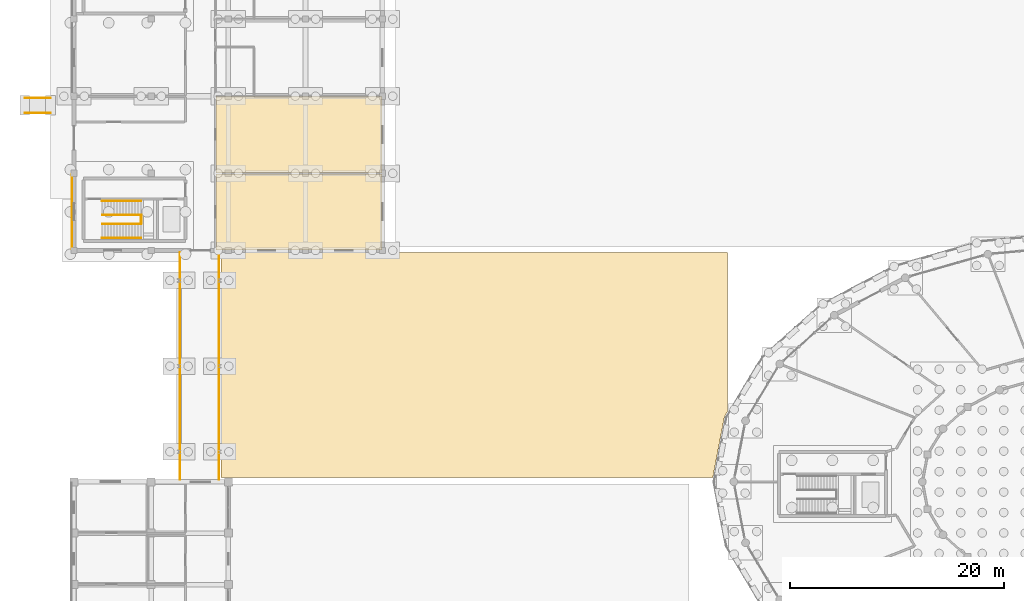
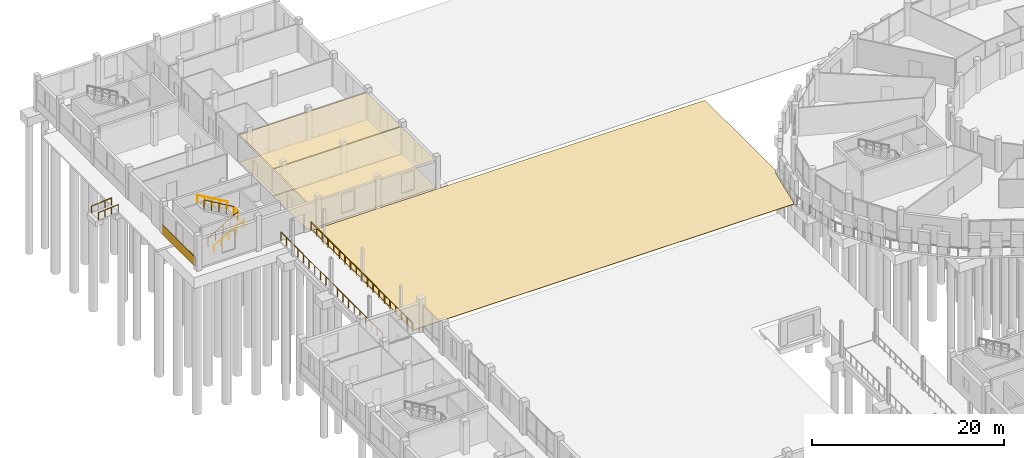
# One storey, part 93 of 98: 9 railings, 6 coverings.
"""IFC4 building model written with IfcOpenShell, lengths in metres."""

import ifcopenshell
import ifcopenshell.guid

model = None  # the IFC model being written
_history = None  # IfcOwnerHistory: only IFC2X3 demands one
_inside = {}  # id of a spatial element -> (the spatial element, [elements in it])
_under = {}  # id of a project, library or spatial element -> (it, [spatial elements below it])
_declared = {}  # id of a project -> (the project, [libraries it declares])
_typed = {}  # id of a type object -> (the type object, [elements of that type])
_made_of = {}  # id of a material, layer set ... -> (it, [elements and type objects made of it])


def new_model(schema):
    """Start an empty IFC model of exactly this schema.

    Asked for "IFC4X3", IfcOpenShell would pick the latest addendum, in which some entities
    have other attributes; the version numbers below select the first issue.
    IFC2X3 requires an IfcOwnerHistory on every rooted entity: one is made here for all.
    """
    global model, _history
    if schema == "IFC4X3":
        model = ifcopenshell.file(schema_version=(4, 3, 0, 0))
    else:
        model = ifcopenshell.file(schema=schema)
    _inside.clear()
    _under.clear()
    _declared.clear()
    _typed.clear()
    _made_of.clear()
    _history = None
    if model.schema == "IFC2X3":
        org = make("IfcOrganization", Name="unknown")
        user = make(
            "IfcPersonAndOrganization",
            ThePerson=make("IfcPerson", FamilyName="unknown"),
            TheOrganization=org,
        )
        app = make(
            "IfcApplication",
            ApplicationDeveloper=org,
            Version="unknown",
            ApplicationFullName="unknown",
            ApplicationIdentifier="unknown",
        )
        _history = make(
            "IfcOwnerHistory",
            OwningUser=user,
            OwningApplication=app,
            ChangeAction="ADDED",
            CreationDate=0,
        )
    return model


def make(cls, **values):
    """One entity of the class cls with the attributes given. An attribute that is None is left unset."""
    return model.create_entity(
        cls, **{name: value for name, value in values.items() if value is not None}
    )


def rooted(cls, **values):
    """An entity with a GlobalId (a new one), such as an element, a storey or a relation."""
    return make(cls, GlobalId=ifcopenshell.guid.new(), OwnerHistory=_history, **values)


def si_unit(unit_type, name, prefix=None):
    """IfcSIUnit, for example si_unit("LENGTHUNIT", "METRE", prefix="MILLI")."""
    return make("IfcSIUnit", UnitType=unit_type, Prefix=prefix, Name=name)


def assignment(units):
    """IfcUnitAssignment: the units of a project."""
    return None if units is None else make("IfcUnitAssignment", Units=units)


def point(xyz):
    """IfcCartesianPoint."""
    return None if xyz is None else make("IfcCartesianPoint", Coordinates=xyz)


def direction(xyz):
    """IfcDirection."""
    return None if xyz is None else make("IfcDirection", DirectionRatios=xyz)


def frame(location, z_axis=None, x_axis=None):
    """IfcAxis2Placement3D, a coordinate frame: its origin and axes. An axis left out is left unset."""
    return make(
        "IfcAxis2Placement3D",
        Location=point(location),
        Axis=direction(z_axis),
        RefDirection=direction(x_axis),
    )


def frame_2d(location, x_axis=None):
    """IfcAxis2Placement2D, a coordinate frame in the plane: its origin and x axis."""
    return make(
        "IfcAxis2Placement2D", Location=point(location), RefDirection=direction(x_axis)
    )


def origin():
    """The frame at (0, 0, 0) with its axes left unset."""
    return frame((0.0, 0.0, 0.0))


def origin_2d():
    """The frame at (0, 0) in the plane with its x axis left unset."""
    return frame_2d((0.0, 0.0))


def place(relative_to, where):
    """IfcLocalPlacement: puts the frame where relative to a parent placement (None: the world)."""
    return make(
        "IfcLocalPlacement", PlacementRelTo=relative_to, RelativePlacement=where
    )


def context(
    kind, dimensions, precision=None, world=None, true_north=None, identifier=None
):
    """IfcGeometricRepresentationContext, for example the 3D "Model" context."""
    return make(
        "IfcGeometricRepresentationContext",
        ContextIdentifier=identifier,
        ContextType=kind,
        CoordinateSpaceDimension=dimensions,
        Precision=precision,
        WorldCoordinateSystem=world,
        TrueNorth=true_north,
    )


def subcontext(parent, identifier, kind, view, scale=None):
    """IfcGeometricRepresentationSubContext, for example "Body" below "Model"."""
    return make(
        "IfcGeometricRepresentationSubContext",
        ContextIdentifier=identifier,
        ContextType=kind,
        ParentContext=parent,
        TargetScale=scale,
        TargetView=view,
    )


def project(units=None, contexts=None):
    """IfcProject with its units and contexts."""
    return rooted(
        "IfcProject",
        Name="project",
        RepresentationContexts=contexts,
        UnitsInContext=assignment(units),
    )


def spatial(cls, under=None, at=None, **own):
    """A site, building, storey or space (cls), placed at a placement, below another one or the project."""
    s = rooted(cls, ObjectPlacement=at, **own)
    if under is not None:
        _under.setdefault(under.id(), (under, []))[1].append(s)
    return s


def polyline(points):
    """IfcPolyline through the points."""
    return make("IfcPolyline", Points=[point(p) for p in points])


def profile(cls, at=None, kind="AREA", **sizes):
    """A parametric profile (cls). Its sizes go by their IFC names, for example OverallWidth=200.0."""
    return make(cls, ProfileType=kind, Position=at, **sizes)


def rectangle(**sizes):
    """IfcRectangleProfileDef."""
    return profile("IfcRectangleProfileDef", **sizes)


def circle(**sizes):
    """IfcCircleProfileDef."""
    return profile("IfcCircleProfileDef", **sizes)


def outline(outer, holes=None, kind="AREA"):
    """IfcArbitraryClosedProfileDef: a profile drawn as a closed curve; with holes, ...WithVoids."""
    if holes is None:
        return make("IfcArbitraryClosedProfileDef", ProfileType=kind, OuterCurve=outer)
    return make(
        "IfcArbitraryProfileDefWithVoids",
        ProfileType=kind,
        OuterCurve=outer,
        InnerCurves=holes,
    )


def extrude(swept, where, along, depth):
    """IfcExtrudedAreaSolid: the profile swept, set in the frame where, extruded along a direction by depth."""
    return make(
        "IfcExtrudedAreaSolid",
        SweptArea=swept,
        Position=where,
        ExtrudedDirection=direction(along),
        Depth=depth,
    )


def shape(context_of_items, identifier, shape_type, items):
    """IfcShapeRepresentation: the items that make up one representation, for example the "Body"."""
    return make(
        "IfcShapeRepresentation",
        ContextOfItems=context_of_items,
        RepresentationIdentifier=identifier,
        RepresentationType=shape_type,
        Items=items,
    )


def material(Name=None, Category=None):
    """IfcMaterial."""
    return make("IfcMaterial", Name=Name, Category=Category)


def layer(
    of_material, thickness, ventilated=None, Name=None, Category=None, Priority=None
):
    """IfcMaterialLayer: one layer of a wall or slab, of a material (None: an air gap)."""
    return make(
        "IfcMaterialLayer",
        Material=of_material,
        LayerThickness=thickness,
        IsVentilated=ventilated,
        Name=Name,
        Category=Category,
        Priority=Priority,
    )


def layer_set(layers, Name=None):
    """IfcMaterialLayerSet."""
    return make("IfcMaterialLayerSet", MaterialLayers=layers, LayerSetName=Name)


def made_of(thing, what):
    """Note that an element or type object is made of a material, layer set ...; save() writes the relation."""
    if what is not None:
        _made_of.setdefault(what.id(), (what, []))[1].append(thing)
    return thing


def type_object(cls, material=None, **own):
    """A type object (cls), such as IfcWallType, which elements share."""
    return made_of(rooted(cls, **own), material)


def element(
    cls,
    number,
    at=None,
    inside=None,
    cuts=None,
    type_object=None,
    material=None,
    context=None,
    identifier="Body",
    shape_type=None,
    held_by="IfcProductDefinitionShape",
    body=None,
    shapes=None,
    **own,
):
    """One element of the class cls, such as IfcWall. Its Tag is "e" and its number.

    at: its placement. inside: the storey or other place that contains it. cuts: it is an
    opening in that element (IfcRelVoidsElement). A single representation is given by context,
    identifier, shape_type and body (its items); several are given by shapes. held_by: the class
    of the entity that holds the representations. save() writes the other relations.
    """
    e = rooted(cls, Tag="e%d" % number, ObjectPlacement=at, **own)
    if body is not None:
        shapes = [shape(context, identifier, shape_type, body)]
    if shapes is not None:
        e.Representation = make(held_by, Representations=shapes)
    if inside is not None:
        _inside.setdefault(inside.id(), (inside, []))[1].append(e)
    if cuts is not None:
        rooted(
            "IfcRelVoidsElement", RelatingBuildingElement=cuts, RelatedOpeningElement=e
        )
    if type_object is not None:
        _typed.setdefault(type_object.id(), (type_object, []))[1].append(e)
    return made_of(e, material)


def aggregate(whole, parts):
    """IfcRelAggregates: a whole, such as a stair, and the parts it consists of."""
    return rooted("IfcRelAggregates", RelatingObject=whole, RelatedObjects=parts)


def save(model, path):
    """Write the relations noted so far, then the file.

    IfcRelAggregates (storeys below a building ...), IfcRelContainedInSpatialStructure (elements
    in a storey), IfcRelDefinesByType, IfcRelAssociatesMaterial and IfcRelDeclares: one each for
    every whole, place, type object, material and project.
    """
    for whole, parts in _under.values():
        aggregate(whole, parts)
    for where, things in _inside.values():
        rooted(
            "IfcRelContainedInSpatialStructure",
            RelatedElements=things,
            RelatingStructure=where,
        )
    for kind, things in _typed.values():
        rooted("IfcRelDefinesByType", RelatedObjects=things, RelatingType=kind)
    for what, things in _made_of.values():
        rooted("IfcRelAssociatesMaterial", RelatedObjects=things, RelatingMaterial=what)
    for by, libraries in _declared.values():
        rooted("IfcRelDeclares", RelatingContext=by, RelatedDefinitions=libraries)
    model.write(path)


model = new_model("IFC4")

# Units and contexts
model_context = context("Model", 3, precision=1e-05, world=origin(), true_north=direction((0.0, 1.0)))
body_context = subcontext(model_context, "Body", "Model", "MODEL_VIEW")
ifc_project = project(units=[si_unit("LENGTHUNIT", "METRE"), si_unit("AREAUNIT", "SQUARE_METRE"), si_unit("VOLUMEUNIT", "CUBIC_METRE"), si_unit("PLANEANGLEUNIT", "RADIAN"), si_unit("MASSUNIT", "GRAM", prefix="KILO")], contexts=[model_context])

# Site, building, storey
site_placement = place(None, origin())
site = spatial("IfcSite", under=ifc_project, at=site_placement, CompositionType="ELEMENT")
building_placement = place(site_placement, origin())
building = spatial("IfcBuilding", under=site, at=building_placement, Name="Zornivar Specialist Clinic", CompositionType="ELEMENT")
storey_placement = place(building_placement, origin())
storey = spatial("IfcBuildingStorey", under=building, at=storey_placement, Name="L00", CompositionType="ELEMENT", Elevation=0.0)

# Coverings
ifc_material_1 = material(Name="Washable Acoustic Mineral Clinical Ceiling")
ifc_layer_1 = layer(ifc_material_1, 0.01806640625)
ifc_layer_set_1 = layer_set([ifc_layer_1], Name="Washable Acoustic Mineral Clinical Ceiling")
covering_type_1 = type_object("IfcCoveringType", Name="COV-CEIL-CLIN-18", PredefinedType="CEILING", material=ifc_layer_set_1)
covering_1_placement = place(storey_placement, frame((0.0, 0.0, 3.48193359375)))
element("IfcCovering", 1, at=covering_1_placement, inside=storey, type_object=covering_type_1, Name="ceil:space:V5:L00:rm:03", PredefinedType="CEILING", context=body_context, shape_type="SweptSolid", body=[
    extrude(outline(polyline([(13.239990234375, 79.239990234375), (13.239990234375, 86.360107421875), (28.760009765625, 86.360107421875), (28.760009765625, 79.239990234375), (13.239990234375, 79.239990234375)])), origin(), (0.0, 0.0, 1.0), 0.01806640625),
])
covering_2_placement = place(storey_placement, frame((0.0, 0.0, 3.48193359375)))
element("IfcCovering", 2, at=covering_2_placement, inside=storey, type_object=covering_type_1, Name="ceil:space:V5:L00:rm:04", PredefinedType="CEILING", context=body_context, shape_type="SweptSolid", body=[
    extrude(outline(polyline([(13.239990234375, 86.43994140625), (13.239990234375, 93.56005859375), (28.760009765625, 93.56005859375), (28.760009765625, 86.43994140625), (13.239990234375, 86.43994140625)])), origin(), (0.0, 0.0, 1.0), 0.01806640625),
])
ifc_material_2 = material(Name="Coursed Vratsa Limestone Plinth Cladding", Category="masonry")
ifc_layer_2 = layer(ifc_material_2, 0.050048828125)
ifc_layer_set_2 = layer_set([ifc_layer_2], Name="Coursed Vratsa Limestone Plinth Cladding")
covering_type_2 = type_object("IfcCoveringType", Name="COV-CLAD-VRATSA-50", PredefinedType="CLADDING", material=ifc_layer_set_2)
covering_3_placement = place(storey_placement, frame((-0.215087890625, 82.800048828125, 0.0), z_axis=(0.0, 0.0, 1.0), x_axis=(0.0, -1.0, 0.0)))
element("IfcCovering", 3, at=covering_3_placement, inside=storey, type_object=covering_type_2, Name="clad:V5:L00:17", PredefinedType="CLADDING", context=body_context, shape_type="SweptSolid", body=[
    extrude(rectangle(XDim=7.0, YDim=0.050048828125, at=origin_2d()), origin(), (0.0, 0.0, 1.0), 1.199951171875),
])
ifc_material_3 = material(Name="Homogeneous Anti-Static Clinical Vinyl Flooring")
ifc_layer_3 = layer(ifc_material_3, 0.011962890625)
ifc_layer_set_3 = layer_set([ifc_layer_3], Name="Homogeneous Anti-Static Clinical Vinyl Flooring")
covering_type_3 = type_object("IfcCoveringType", Name="COV-FLR-VINYL-12", PredefinedType="FLOORING", material=ifc_layer_set_3)
covering_4_placement = place(storey_placement, origin())
element("IfcCovering", 4, at=covering_4_placement, inside=storey, type_object=covering_type_3, Name="flr:space:V5:L00:rm:03", PredefinedType="FLOORING", context=body_context, shape_type="SweptSolid", body=[
    extrude(outline(polyline([(13.239990234375, 79.239990234375), (13.239990234375, 86.360107421875), (28.760009765625, 86.360107421875), (28.760009765625, 79.239990234375), (13.239990234375, 79.239990234375)])), origin(), (0.0, 0.0, 1.0), 0.011962890625),
])
covering_5_placement = place(storey_placement, origin())
element("IfcCovering", 5, at=covering_5_placement, inside=storey, type_object=covering_type_3, Name="flr:space:V5:L00:rm:04", PredefinedType="FLOORING", context=body_context, shape_type="SweptSolid", body=[
    extrude(outline(polyline([(13.239990234375, 86.43994140625), (13.239990234375, 93.56005859375), (28.760009765625, 93.56005859375), (28.760009765625, 86.43994140625), (13.239990234375, 86.43994140625)])), origin(), (0.0, 0.0, 1.0), 0.011962890625),
])
ifc_material_4 = material(Name="Bush-Hammered Vratsa Limestone Courtyard Paving", Category="masonry")
ifc_layer_4 = layer(ifc_material_4, 0.06005859375)
ifc_layer_set_4 = layer_set([ifc_layer_4], Name="Bush-Hammered Vratsa Limestone Courtyard Paving")
covering_type_4 = type_object("IfcCoveringType", Name="COV-PAVING-STONE-60", PredefinedType="USERDEFINED", material=ifc_layer_set_4)
covering_6_placement = place(storey_placement, frame((0.0, 0.0, -0.06005859375)))
element("IfcCovering", 6, at=covering_6_placement, inside=storey, type_object=covering_type_4, Name="cov:paving:L00:1:north_west_plaza", ObjectType="PAVING", PredefinedType="USERDEFINED", context=body_context, shape_type="SweptSolid", body=[
    extrude(outline(polyline([(61.0, 64.14111328125), (60.721923828125, 63.679931640625), (59.634033203125, 58.0), (13.719970703125, 58.0), (13.719970703125, 79.0), (61.0, 79.0), (61.0, 64.14111328125)])), origin(), (0.0, 0.0, 1.0), 0.06005859375),
])

# Railings
ifc_material_5 = material(Name="Painted Steel and Oiled Timber Balustrade", Category="steel")
railing_type_1 = type_object("IfcRailingType", Name="GRD-EXT-BALUST-1100", PredefinedType="BALUSTRADE", material=ifc_material_5)
railing_1_placement = place(storey_placement, frame((9.8798828125, 57.800048828125, 0.0)))
element("IfcRailing", 7, at=railing_1_placement, inside=storey, type_object=railing_type_1, Name="rail:BR2:L00:W", PredefinedType="BALUSTRADE", context=body_context, shape_type="SweptSolid", body=[
    extrude(circle(Radius=0.02392578125, at=origin_2d()), frame((0.0, 0.0, 1.076171875), z_axis=(0.0, 1.0, 0.0), x_axis=(-1.0, 0.0, 0.0)), (0.0, 0.0, 1.0), 21.199951171875),
    extrude(circle(Radius=0.02099609375, at=origin_2d()), origin(), (0.0, 0.0, 1.0), 1.052001953125),
    extrude(circle(Radius=0.02099609375, at=origin_2d()), frame((0.0, 1.177734375, 0.0)), (0.0, 0.0, 1.0), 1.052001953125),
    extrude(circle(Radius=0.02099609375, at=origin_2d()), frame((0.0, 2.35546875, 0.0)), (0.0, 0.0, 1.0), 1.052001953125),
    extrude(circle(Radius=0.02099609375, at=origin_2d()), frame((0.0, 3.533203125, 0.0)), (0.0, 0.0, 1.0), 1.052001953125),
    extrude(circle(Radius=0.02099609375, at=origin_2d()), frame((0.0, 4.711181640625, 0.0)), (0.0, 0.0, 1.0), 1.052001953125),
    extrude(circle(Radius=0.02099609375, at=origin_2d()), frame((0.0, 5.888916015625, 0.0)), (0.0, 0.0, 1.0), 1.052001953125),
    extrude(circle(Radius=0.02099609375, at=origin_2d()), frame((0.0, 7.066650390625, 0.0)), (0.0, 0.0, 1.0), 1.052001953125),
    extrude(circle(Radius=0.02099609375, at=origin_2d()), frame((0.0, 8.244384765625, 0.0)), (0.0, 0.0, 1.0), 1.052001953125),
    extrude(circle(Radius=0.02099609375, at=origin_2d()), frame((0.0, 9.422119140625, 0.0)), (0.0, 0.0, 1.0), 1.052001953125),
    extrude(circle(Radius=0.02099609375, at=origin_2d()), frame((0.0, 10.60009765625, 0.0)), (0.0, 0.0, 1.0), 1.052001953125),
    extrude(circle(Radius=0.02099609375, at=origin_2d()), frame((0.0, 11.77783203125, 0.0)), (0.0, 0.0, 1.0), 1.052001953125),
    extrude(circle(Radius=0.02099609375, at=origin_2d()), frame((0.0, 12.95556640625, 0.0)), (0.0, 0.0, 1.0), 1.052001953125),
    extrude(circle(Radius=0.02099609375, at=origin_2d()), frame((0.0, 14.13330078125, 0.0)), (0.0, 0.0, 1.0), 1.052001953125),
    extrude(circle(Radius=0.02099609375, at=origin_2d()), frame((0.0, 15.31103515625, 0.0)), (0.0, 0.0, 1.0), 1.052001953125),
    extrude(circle(Radius=0.02099609375, at=origin_2d()), frame((0.0, 16.48876953125, 0.0)), (0.0, 0.0, 1.0), 1.052001953125),
    extrude(circle(Radius=0.02099609375, at=origin_2d()), frame((0.0, 17.66650390625, 0.0)), (0.0, 0.0, 1.0), 1.052001953125),
    extrude(circle(Radius=0.02099609375, at=origin_2d()), frame((0.0, 18.844482421875, 0.0)), (0.0, 0.0, 1.0), 1.052001953125),
    extrude(circle(Radius=0.02099609375, at=origin_2d()), frame((0.0, 20.022216796875, 0.0)), (0.0, 0.0, 1.0), 1.052001953125),
    extrude(circle(Radius=0.02099609375, at=origin_2d()), frame((0.0, 21.199951171875, 0.0)), (0.0, 0.0, 1.0), 1.052001953125),
])
railing_2_placement = place(storey_placement, frame((13.52001953125, 57.800048828125, 0.0)))
element("IfcRailing", 8, at=railing_2_placement, inside=storey, type_object=railing_type_1, Name="rail:BR2:L00:E", PredefinedType="BALUSTRADE", context=body_context, shape_type="SweptSolid", body=[
    extrude(circle(Radius=0.02392578125, at=origin_2d()), frame((0.0, 0.0, 1.076171875), z_axis=(0.0, 1.0, 0.0), x_axis=(-1.0, 0.0, 0.0)), (0.0, 0.0, 1.0), 21.199951171875),
    extrude(circle(Radius=0.02099609375, at=origin_2d()), origin(), (0.0, 0.0, 1.0), 1.052001953125),
    extrude(circle(Radius=0.02099609375, at=origin_2d()), frame((0.0, 1.177734375, 0.0)), (0.0, 0.0, 1.0), 1.052001953125),
    extrude(circle(Radius=0.02099609375, at=origin_2d()), frame((0.0, 2.35546875, 0.0)), (0.0, 0.0, 1.0), 1.052001953125),
    extrude(circle(Radius=0.02099609375, at=origin_2d()), frame((0.0, 3.533203125, 0.0)), (0.0, 0.0, 1.0), 1.052001953125),
    extrude(circle(Radius=0.02099609375, at=origin_2d()), frame((0.0, 4.711181640625, 0.0)), (0.0, 0.0, 1.0), 1.052001953125),
    extrude(circle(Radius=0.02099609375, at=origin_2d()), frame((0.0, 5.888916015625, 0.0)), (0.0, 0.0, 1.0), 1.052001953125),
    extrude(circle(Radius=0.02099609375, at=origin_2d()), frame((0.0, 7.066650390625, 0.0)), (0.0, 0.0, 1.0), 1.052001953125),
    extrude(circle(Radius=0.02099609375, at=origin_2d()), frame((0.0, 8.244384765625, 0.0)), (0.0, 0.0, 1.0), 1.052001953125),
    extrude(circle(Radius=0.02099609375, at=origin_2d()), frame((0.0, 9.422119140625, 0.0)), (0.0, 0.0, 1.0), 1.052001953125),
    extrude(circle(Radius=0.02099609375, at=origin_2d()), frame((0.0, 10.60009765625, 0.0)), (0.0, 0.0, 1.0), 1.052001953125),
    extrude(circle(Radius=0.02099609375, at=origin_2d()), frame((0.0, 11.77783203125, 0.0)), (0.0, 0.0, 1.0), 1.052001953125),
    extrude(circle(Radius=0.02099609375, at=origin_2d()), frame((0.0, 12.95556640625, 0.0)), (0.0, 0.0, 1.0), 1.052001953125),
    extrude(circle(Radius=0.02099609375, at=origin_2d()), frame((0.0, 14.13330078125, 0.0)), (0.0, 0.0, 1.0), 1.052001953125),
    extrude(circle(Radius=0.02099609375, at=origin_2d()), frame((0.0, 15.31103515625, 0.0)), (0.0, 0.0, 1.0), 1.052001953125),
    extrude(circle(Radius=0.02099609375, at=origin_2d()), frame((0.0, 16.48876953125, 0.0)), (0.0, 0.0, 1.0), 1.052001953125),
    extrude(circle(Radius=0.02099609375, at=origin_2d()), frame((0.0, 17.66650390625, 0.0)), (0.0, 0.0, 1.0), 1.052001953125),
    extrude(circle(Radius=0.02099609375, at=origin_2d()), frame((0.0, 18.844482421875, 0.0)), (0.0, 0.0, 1.0), 1.052001953125),
    extrude(circle(Radius=0.02099609375, at=origin_2d()), frame((0.0, 20.022216796875, 0.0)), (0.0, 0.0, 1.0), 1.052001953125),
    extrude(circle(Radius=0.02099609375, at=origin_2d()), frame((0.0, 21.199951171875, 0.0)), (0.0, 0.0, 1.0), 1.052001953125),
])
ifc_material_6 = material(Name="Brushed Stainless Steel Stair Guardrail", Category="steel")
railing_type_2 = type_object("IfcRailingType", Name="GRD-INT-STAIR-1100", PredefinedType="GUARDRAIL", material=ifc_material_6)
railing_3_placement = place(storey_placement, frame((2.639892578125, 81.679931640625, 0.160888671875)))
element("IfcRailing", 9, at=railing_3_placement, inside=storey, type_object=railing_type_2, Name="stair:C7:L00:grd1", PredefinedType="GUARDRAIL", context=body_context, shape_type="SweptSolid", body=[
    extrude(circle(Radius=0.02392578125, at=origin_2d()), frame((0.0, 0.0, 1.076171875), z_axis=(0.862467420366, 0.0, 0.50611258511), x_axis=(0.0, 1.0, 0.0)), (0.0, 0.0, 1.0), 4.127685546875),
    extrude(circle(Radius=0.02099609375, at=origin_2d()), origin(), (0.0, 0.0, 1.0), 1.052001953125),
    extrude(circle(Radius=0.02099609375, at=origin_2d()), frame((0.89013671875, 0.0, 0.522216796875)), (0.0, 0.0, 1.0), 1.052001953125),
    extrude(circle(Radius=0.02099609375, at=origin_2d()), frame((1.780029296875, 0.0, 1.04443359375)), (0.0, 0.0, 1.0), 1.052001953125),
    extrude(circle(Radius=0.02099609375, at=origin_2d()), frame((2.669921875, 0.0, 1.56689453125)), (0.0, 0.0, 1.0), 1.052001953125),
    extrude(circle(Radius=0.02099609375, at=origin_2d()), frame((3.56005859375, 0.0, 2.089111328125)), (0.0, 0.0, 1.0), 1.052001953125),
])
railing_4_placement = place(storey_placement, frame((6.199951171875, 82.52001953125, 2.410888671875)))
element("IfcRailing", 10, at=railing_4_placement, inside=storey, type_object=railing_type_2, Name="stair:C7:L00:grd2", PredefinedType="GUARDRAIL", context=body_context, shape_type="SweptSolid", body=[
    extrude(circle(Radius=0.02392578125, at=origin_2d()), frame((0.0, 0.0, 1.076171875), z_axis=(-0.861217264902, 0.0, 0.50823697488), x_axis=(0.0, -1.0, 0.0)), (0.0, 0.0, 1.0), 4.110595703125),
    extrude(circle(Radius=0.02099609375, at=origin_2d()), origin(), (0.0, 0.0, 1.0), 1.052001953125),
    extrude(circle(Radius=0.02099609375, at=origin_2d()), frame((-0.885009765625, 0.0, 0.522216796875)), (0.0, 0.0, 1.0), 1.052001953125),
    extrude(circle(Radius=0.02099609375, at=origin_2d()), frame((-1.77001953125, 0.0, 1.04443359375)), (0.0, 0.0, 1.0), 1.052001953125),
    extrude(circle(Radius=0.02099609375, at=origin_2d()), frame((-2.655029296875, 0.0, 1.56689453125)), (0.0, 0.0, 1.0), 1.052001953125),
    extrude(circle(Radius=0.02099609375, at=origin_2d()), frame((-3.5400390625, 0.0, 2.089111328125)), (0.0, 0.0, 1.0), 1.052001953125),
])
railing_5_placement = place(storey_placement, frame((6.27001953125, 81.679931640625, 2.25)))
element("IfcRailing", 11, at=railing_5_placement, inside=storey, type_object=railing_type_2, Name="stair:C7:L00:grdl", PredefinedType="GUARDRAIL", context=body_context, shape_type="SweptSolid", body=[
    extrude(circle(Radius=0.02392578125, at=origin_2d()), frame((0.0, 0.0, 1.076171875), z_axis=(0.0, 1.0, 0.0), x_axis=(-1.0, 0.0, 0.0)), (0.0, 0.0, 1.0), 0.840087890625),
    extrude(circle(Radius=0.02099609375, at=origin_2d()), origin(), (0.0, 0.0, 1.0), 1.052001953125),
    extrude(circle(Radius=0.02099609375, at=origin_2d()), frame((0.0, 0.840087890625, 0.0)), (0.0, 0.0, 1.0), 1.052001953125),
])
ifc_material_7 = material(Name="Brushed Stainless Steel Continuous Handrail", Category="steel")
railing_type_3 = type_object("IfcRailingType", Name="HRL-STAIR-0920", PredefinedType="HANDRAIL", material=ifc_material_7)
railing_6_placement = place(storey_placement, frame((2.60009765625, 80.3701171875, 0.160888671875)))
element("IfcRailing", 12, at=railing_6_placement, inside=storey, type_object=railing_type_3, Name="stair:C7:L00:hr1", PredefinedType="HANDRAIL", context=body_context, shape_type="SweptSolid", body=[
    extrude(circle(Radius=0.02392578125, at=origin_2d()), frame((0.0, 0.0, 0.89599609375), z_axis=(0.867300072446, 0.0, 0.497785681127), x_axis=(0.0, 1.0, 0.0)), (0.0, 0.0, 1.0), 4.19677734375),
    extrude(circle(Radius=0.02099609375, at=origin_2d()), origin(), (0.0, 0.0, 1.0), 0.871826171875),
    extrude(circle(Radius=0.02099609375, at=origin_2d()), frame((0.909912109375, 0.0, 0.522216796875)), (0.0, 0.0, 1.0), 0.871826171875),
    extrude(circle(Radius=0.02099609375, at=origin_2d()), frame((1.81982421875, 0.0, 1.04443359375)), (0.0, 0.0, 1.0), 0.871826171875),
    extrude(circle(Radius=0.02099609375, at=origin_2d()), frame((2.72998046875, 0.0, 1.56689453125)), (0.0, 0.0, 1.0), 0.871826171875),
    extrude(circle(Radius=0.02099609375, at=origin_2d()), frame((3.639892578125, 0.0, 2.089111328125)), (0.0, 0.0, 1.0), 0.871826171875),
])
railing_7_placement = place(storey_placement, frame((6.239990234375, 83.830078125, 2.410888671875)))
element("IfcRailing", 13, at=railing_7_placement, inside=storey, type_object=railing_type_3, Name="stair:C7:L00:hr2", PredefinedType="HANDRAIL", context=body_context, shape_type="SweptSolid", body=[
    extrude(circle(Radius=0.02392578125, at=origin_2d()), frame((0.0, 0.0, 0.89599609375), z_axis=(-0.866110694346, 0.0, 0.499852243307), x_axis=(0.0, -1.0, 0.0)), (0.0, 0.0, 1.0), 4.179443359375),
    extrude(circle(Radius=0.02099609375, at=origin_2d()), origin(), (0.0, 0.0, 1.0), 0.871826171875),
    extrude(circle(Radius=0.02099609375, at=origin_2d()), frame((-0.905029296875, 0.0, 0.522216796875)), (0.0, 0.0, 1.0), 0.871826171875),
    extrude(circle(Radius=0.02099609375, at=origin_2d()), frame((-1.81005859375, 0.0, 1.04443359375)), (0.0, 0.0, 1.0), 0.871826171875),
    extrude(circle(Radius=0.02099609375, at=origin_2d()), frame((-2.71484375, 0.0, 1.56689453125)), (0.0, 0.0, 1.0), 0.871826171875),
    extrude(circle(Radius=0.02099609375, at=origin_2d()), frame((-3.619873046875, 0.0, 2.089111328125)), (0.0, 0.0, 1.0), 0.871826171875),
])
for number, where, name in (
    (14, (-4.60009765625, 92.050048828125, -0.179931640625), "ramp:ped:L00:PR4:hr0"),
    (15, (-4.60009765625, 93.449951171875, -0.179931640625), "ramp:ped:L00:PR4:hr1"),
):
    element("IfcRailing", number, at=place(storey_placement, frame(where)), inside=storey, type_object=railing_type_3, Name=name, PredefinedType="HANDRAIL", context=body_context, shape_type="SweptSolid", body=[
        extrude(circle(Radius=0.02392578125, at=origin_2d()), frame((0.0, 0.0, 0.89599609375), z_axis=(0.997201767984, 0.0, 0.074757166413), x_axis=(0.0, 1.0, 0.0)), (0.0, 0.0, 1.0), 2.406982421875),
        extrude(circle(Radius=0.02099609375, at=origin_2d()), origin(), (0.0, 0.0, 1.0), 0.871826171875),
        extrude(circle(Radius=0.02099609375, at=origin_2d()), frame((0.800048828125, 0.0, 0.06005859375)), (0.0, 0.0, 1.0), 0.871826171875),
        extrude(circle(Radius=0.02099609375, at=origin_2d()), frame((1.60009765625, 0.0, 0.119873046875)), (0.0, 0.0, 1.0), 0.871826171875),
        extrude(circle(Radius=0.02099609375, at=origin_2d()), frame((2.400146484375, 0.0, 0.179931640625)), (0.0, 0.0, 1.0), 0.871826171875),
    ])

save(model, "model.ifc")
